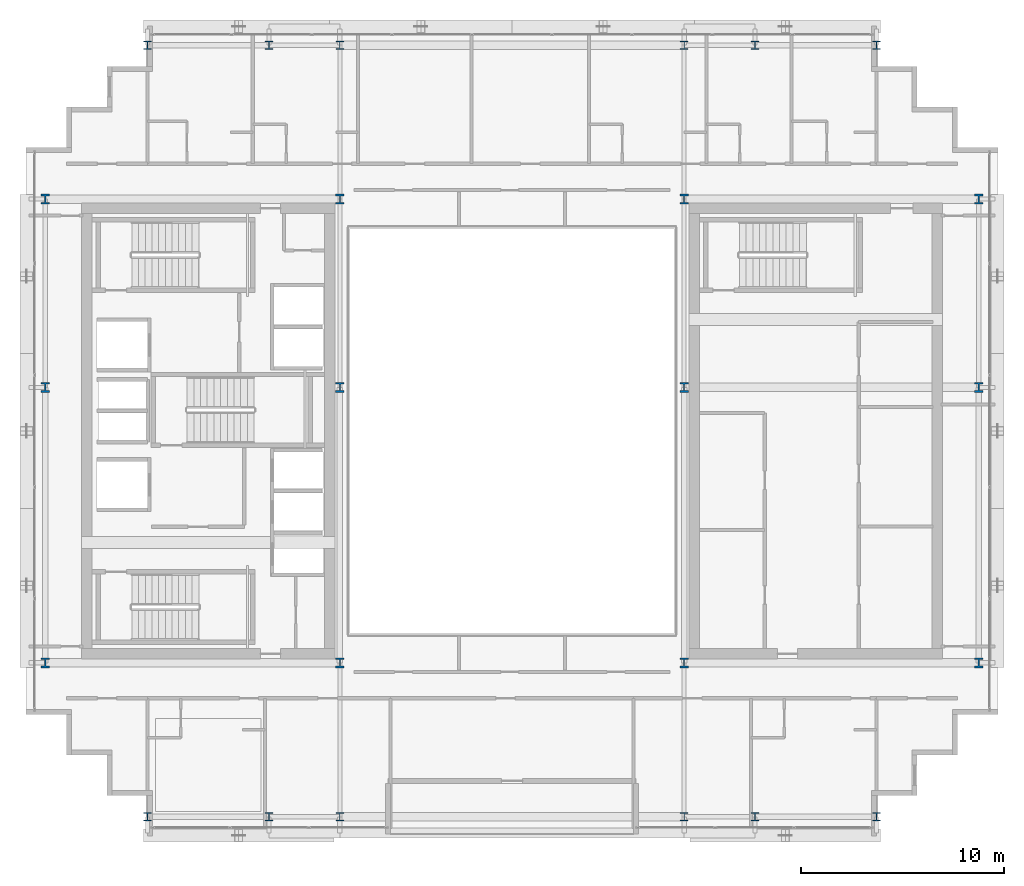
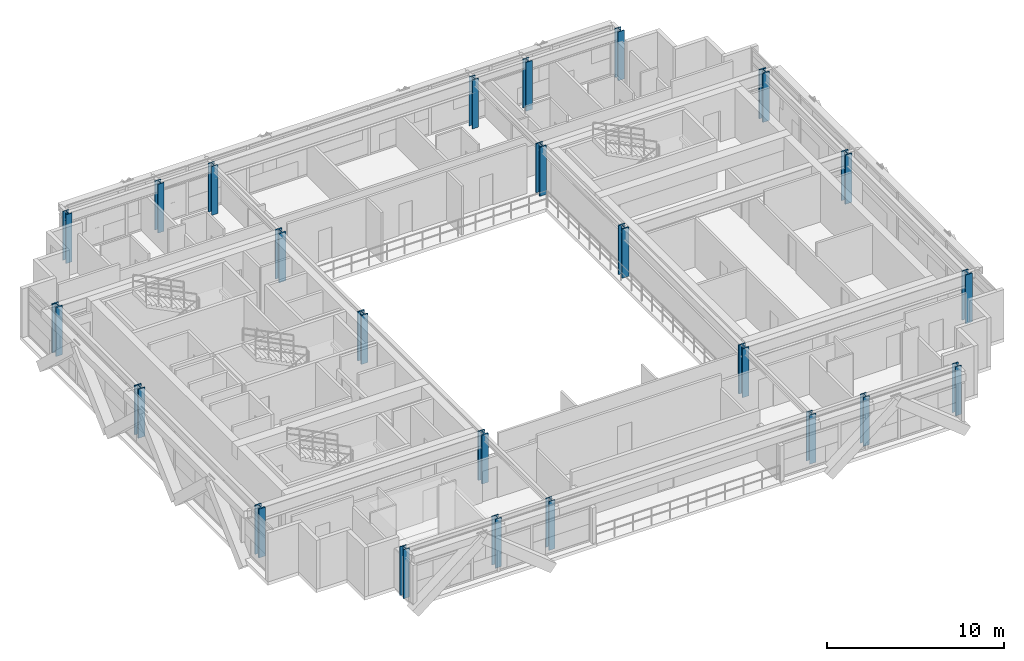
# One storey, part 1 of 31: 24 columns.
"""IFC4 building model written with IfcOpenShell, lengths in metres."""

from ifc_helpers import new_model, si_unit, direction, frame, origin, origin_2d, place, context, subcontext, project, spatial, i_section, extrude, source, transform, mapped, material, material_profile, profile_set, type_object, element, save


model = new_model("IFC4")

# Units and contexts
model_context = context("Model", 3, precision=1e-05, world=origin(), true_north=direction((0.0, 1.0)))
body_context = subcontext(model_context, "Body", "Model", "MODEL_VIEW")
ifc_project = project(units=[si_unit("LENGTHUNIT", "METRE"), si_unit("AREAUNIT", "SQUARE_METRE"), si_unit("VOLUMEUNIT", "CUBIC_METRE"), si_unit("PLANEANGLEUNIT", "RADIAN"), si_unit("MASSUNIT", "GRAM", prefix="KILO")], contexts=[model_context])

# Site, building, storey
site_placement = place(None, origin())
site = spatial("IfcSite", under=ifc_project, at=site_placement, CompositionType="ELEMENT")
building_placement = place(site_placement, origin())
building = spatial("IfcBuilding", under=site, at=building_placement, Name="Ocotamira Hotel", CompositionType="ELEMENT")
storey_placement = place(building_placement, frame((0.0, 0.0, 188.39990234375)))
storey = spatial("IfcBuildingStorey", under=building, at=storey_placement, Name="L47", CompositionType="ELEMENT", Elevation=188.39990234375)

# Columns
ifc_material = material(Name="Steel ASTM A913 Grade 65", Category="steel")
ifc_material_profile_1 = material_profile(ifc_material, i_section(OverallWidth=0.431884765625, OverallDepth=0.498046875, WebThickness=0.0556640625, FlangeThickness=0.0888671875, FilletRadius=0.02490234375, at=origin_2d()), Name="W14X500")
ifc_profile_set_1 = profile_set([ifc_material_profile_1], Name="Steel ASTM A913 Grade 65")
column_type_1 = type_object("IfcColumnType", Name="COL-W14X500", PredefinedType="COLUMN", material=ifc_profile_set_1)
shared_shape_1 = source(origin(), body_context, "Body", "SweptSolid", [
    extrude(i_section(OverallWidth=0.431884765625, OverallDepth=0.498046875, WebThickness=0.0556640625, FlangeThickness=0.0888671875, FilletRadius=0.02490234375, at=origin_2d()), origin(), (0.0, 0.0, 1.0), 3.3701171875),
])
for number, where, z_axis, x_axis, name in (
    (1, (8.949951171875, 14.550048828125, 0.0), (0.0, 0.0, 1.0), (1.0, 0.0, 0.0), "L47 Column TW8_14"),
    (2, (23.5, 14.550048828125, 0.0), (0.0, 0.0, 1.0), (1.0, 0.0, 0.0), "L47 Column TW23_14"),
    (3, (40.5, 14.550048828125, 0.0), (0.0, 0.0, 1.0), (1.0, 0.0, 0.0), "L47 Column TE40_14"),
    (4, (55.050048828125, 14.550048828125, 0.0), (0.0, 0.0, 1.0), (1.0, 0.0, 0.0), "L47 Column TE55_14"),
    (5, (8.949951171875, 28.14990234375, 0.0), (0.0, 0.0, 1.0), (1.0, 0.0, 0.0), "L47 Column TW8_28"),
    (6, (23.5, 28.14990234375, 0.0), (0.0, 0.0, 1.0), (1.0, 0.0, 0.0), "L47 Column TW23_28"),
    (7, (40.5, 28.14990234375, 0.0), (0.0, 0.0, 1.0), (1.0, 0.0, 0.0), "L47 Column TE40_28"),
    (8, (55.050048828125, 28.14990234375, 0.0), (0.0, 0.0, 1.0), (1.0, 0.0, 0.0), "L47 Column TE55_28"),
    (9, (8.949951171875, 37.449951171875, 0.0), (0.0, 0.0, 1.0), (1.0, 0.0, 0.0), "L47 Column TW8_37"),
    (10, (23.5, 37.449951171875, 0.0), (0.0, 0.0, 1.0), (1.0, 0.0, 0.0), "L47 Column TW23_37"),
    (11, (40.5, 37.449951171875, 0.0), (0.0, 0.0, 1.0), (1.0, 0.0, 0.0), "L47 Column TE40_37"),
    (12, (55.050048828125, 37.449951171875, 0.0), (0.0, 0.0, 1.0), (1.0, 0.0, 0.0), "L47 Column TE55_37"),
):
    element("IfcColumn", number, at=place(storey_placement, frame(where, z_axis=z_axis, x_axis=x_axis)), inside=storey, type_object=column_type_1, Name=name, PredefinedType="COLUMN", context=body_context, shape_type="MappedRepresentation", body=[
        mapped(shared_shape_1, transform((0.0, 0.0, 0.0), scale=1.0)),
    ])
ifc_material_profile_2 = material_profile(ifc_material, i_section(OverallWidth=0.404052734375, OverallDepth=0.406982421875, WebThickness=0.027099609375, FlangeThickness=0.043701171875, FilletRadius=0.02490234375, at=origin_2d()), Name="W14X233")
ifc_profile_set_2 = profile_set([ifc_material_profile_2], Name="Steel ASTM A913 Grade 65")
column_type_2 = type_object("IfcColumnType", Name="COL-W14X233", PredefinedType="COLUMN", material=ifc_profile_set_2)
shared_shape_2 = source(origin(), body_context, "Body", "SweptSolid", [
    extrude(i_section(OverallWidth=0.404052734375, OverallDepth=0.406982421875, WebThickness=0.027099609375, FlangeThickness=0.043701171875, FilletRadius=0.02490234375, at=origin_2d()), origin(), (0.0, 0.0, 1.0), 3.3701171875),
])
for number, where, z_axis, x_axis, name in (
    (13, (14.0, 6.949951171875, 0.0), (0.0, 0.0, 1.0), (1.0, 0.0, 0.0), "L47 Column NSP1_14"),
    (14, (20.0, 6.949951171875, 0.0), (0.0, 0.0, 1.0), (1.0, 0.0, 0.0), "L47 Column NSP1_20"),
    (15, (23.5, 6.949951171875, 0.0), (0.0, 0.0, 1.0), (1.0, 0.0, 0.0), "L47 Column NSP1_23"),
    (16, (40.5, 6.949951171875, 0.0), (0.0, 0.0, 1.0), (1.0, 0.0, 0.0), "L47 Column NSP1_40"),
    (17, (44.0, 6.949951171875, 0.0), (0.0, 0.0, 1.0), (1.0, 0.0, 0.0), "L47 Column NSP1_44"),
    (18, (50.0, 6.949951171875, 0.0), (0.0, 0.0, 1.0), (1.0, 0.0, 0.0), "L47 Column NSP1_50"),
    (19, (14.0, 45.050048828125, 0.0), (0.0, 0.0, 1.0), (1.0, 0.0, 0.0), "L47 Column NSP2_14"),
    (20, (20.0, 45.050048828125, 0.0), (0.0, 0.0, 1.0), (1.0, 0.0, 0.0), "L47 Column NSP2_20"),
    (21, (23.5, 45.050048828125, 0.0), (0.0, 0.0, 1.0), (1.0, 0.0, 0.0), "L47 Column NSP2_23"),
    (22, (40.5, 45.050048828125, 0.0), (0.0, 0.0, 1.0), (1.0, 0.0, 0.0), "L47 Column NSP2_40"),
    (23, (44.0, 45.050048828125, 0.0), (0.0, 0.0, 1.0), (1.0, 0.0, 0.0), "L47 Column NSP2_44"),
    (24, (50.0, 45.050048828125, 0.0), (0.0, 0.0, 1.0), (1.0, 0.0, 0.0), "L47 Column NSP2_50"),
):
    element("IfcColumn", number, at=place(storey_placement, frame(where, z_axis=z_axis, x_axis=x_axis)), inside=storey, type_object=column_type_2, Name=name, PredefinedType="COLUMN", context=body_context, shape_type="MappedRepresentation", body=[
        mapped(shared_shape_2, transform((0.0, 0.0, 0.0), scale=1.0)),
    ])

save(model, "model.ifc")
